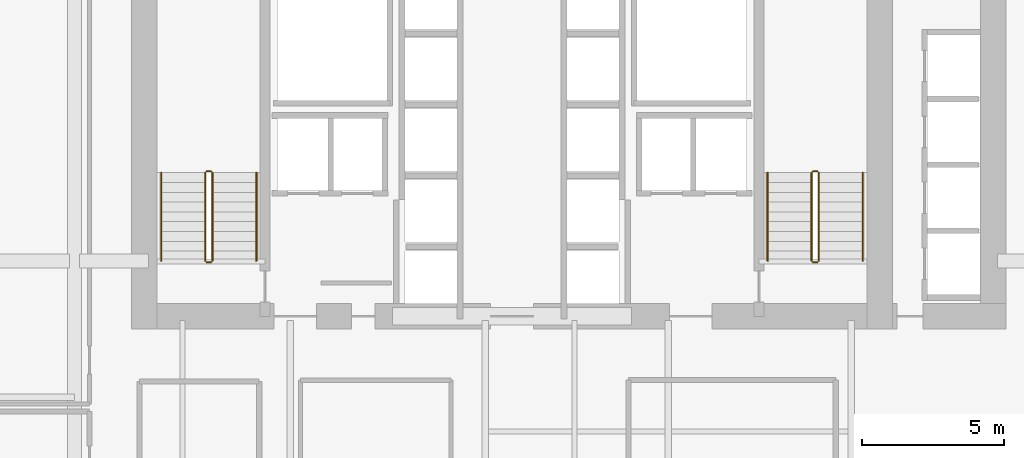
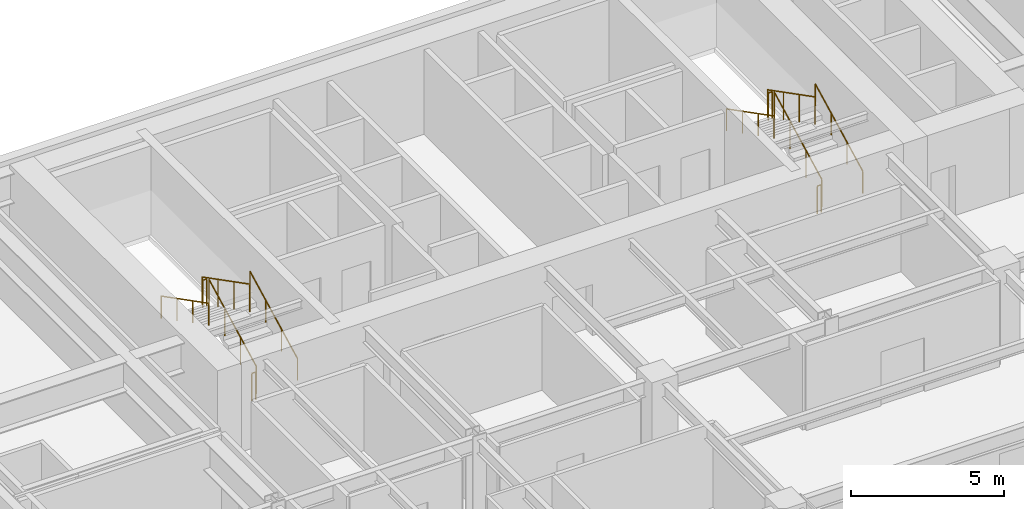
# One storey, part 17 of 17: 12 railings.
"""IFC4 building model written with IfcOpenShell, lengths in metres."""

from ifc_helpers import new_model, si_unit, direction, frame, origin, origin_2d, place, context, subcontext, project, spatial, circle, extrude, material, type_object, element, save


model = new_model("IFC4")

# Units and contexts
model_context = context("Model", 3, precision=1e-05, world=origin(), true_north=direction((0.0, 1.0)))
body_context = subcontext(model_context, "Body", "Model", "MODEL_VIEW")
ifc_project = project(units=[si_unit("LENGTHUNIT", "METRE"), si_unit("AREAUNIT", "SQUARE_METRE"), si_unit("VOLUMEUNIT", "CUBIC_METRE"), si_unit("PLANEANGLEUNIT", "RADIAN"), si_unit("MASSUNIT", "GRAM", prefix="KILO")], contexts=[model_context])

# Site, building, storey
site_placement = place(None, origin())
site = spatial("IfcSite", under=ifc_project, at=site_placement, CompositionType="ELEMENT")
building_placement = place(site_placement, origin())
building = spatial("IfcBuilding", under=site, at=building_placement, Name="Tolvann Quenvar Hotel", CompositionType="ELEMENT")
storey_placement = place(building_placement, frame((0.0, 0.0, 35.550048828125)))
storey = spatial("IfcBuildingStorey", under=building, at=storey_placement, Name="L07", CompositionType="ELEMENT", Elevation=35.550048828125)

# Railings
ifc_material = material(Name="Brushed 316 stainless steel balustrade and handrail", Category="steel")
railing_type_1 = type_object("IfcRailingType", Name="GUARDRAIL", PredefinedType="GUARDRAIL", material=ifc_material)
railing_1_placement = place(storey_placement, frame((12.449951171875, 34.0, 0.177490234375)))
element("IfcRailing", 1, at=railing_1_placement, inside=storey, type_object=railing_type_1, Name="L07 ST-C1 stair guard 1", PredefinedType="GUARDRAIL", context=body_context, shape_type="SweptSolid", body=[
    extrude(circle(Radius=0.02392578125, at=origin_2d()), frame((0.0, 0.0, 1.09619140625), z_axis=(0.0, 0.889221982265, 0.45747597342), x_axis=(-1.0, 0.0, 0.0)), (0.0, 0.0, 1.0), 3.49169921875),
    extrude(circle(Radius=0.02099609375, at=origin_2d()), origin(), (0.0, 0.0, 1.0), 1.072021484375),
    extrude(circle(Radius=0.02099609375, at=origin_2d()), frame((0.0, 1.034912109375, 0.532470703125)), (0.0, 0.0, 1.0), 1.072021484375),
    extrude(circle(Radius=0.02099609375, at=origin_2d()), frame((0.0, 2.070068359375, 1.06494140625)), (0.0, 0.0, 1.0), 1.072021484375),
    extrude(circle(Radius=0.02099609375, at=origin_2d()), frame((0.0, 3.10498046875, 1.597412109375)), (0.0, 0.0, 1.0), 1.072021484375),
])
railing_2_placement = place(storey_placement, frame((12.39990234375, 37.155029296875, 1.77490234375)))
element("IfcRailing", 2, at=railing_2_placement, inside=storey, type_object=railing_type_1, Name="L07 ST-C1 stair guard 2", PredefinedType="GUARDRAIL", context=body_context, shape_type="SweptSolid", body=[
    extrude(circle(Radius=0.02392578125, at=origin_2d()), frame((0.0, 0.0, 1.09619140625), z_axis=(-1.0, 0.0, 0.0), x_axis=(0.0, -1.0, 0.0)), (0.0, 0.0, 1.0), 0.14990234375),
    extrude(circle(Radius=0.02099609375, at=origin_2d()), origin(), (0.0, 0.0, 1.0), 1.072021484375),
    extrude(circle(Radius=0.02099609375, at=origin_2d()), frame((-0.14990234375, 0.0, 0.0)), (0.0, 0.0, 1.0), 1.072021484375),
])
railing_3_placement = place(storey_placement, frame((12.199951171875, 37.10498046875, 1.952392578125)))
element("IfcRailing", 3, at=railing_3_placement, inside=storey, type_object=railing_type_1, Name="L07 ST-C1 stair guard 3", PredefinedType="GUARDRAIL", context=body_context, shape_type="SweptSolid", body=[
    extrude(circle(Radius=0.02392578125, at=origin_2d()), frame((0.0, 0.0, 1.09619140625), z_axis=(0.0, -0.88919353882, 0.457531256332), x_axis=(1.0, 0.0, 0.0)), (0.0, 0.0, 1.0), 3.491943359375),
    extrude(circle(Radius=0.02099609375, at=origin_2d()), origin(), (0.0, 0.0, 1.0), 1.072021484375),
    extrude(circle(Radius=0.02099609375, at=origin_2d()), frame((0.0, -1.034912109375, 0.532470703125)), (0.0, 0.0, 1.0), 1.072021484375),
    extrude(circle(Radius=0.02099609375, at=origin_2d()), frame((0.0, -2.070068359375, 1.065185546875)), (0.0, 0.0, 1.0), 1.072021484375),
    extrude(circle(Radius=0.02099609375, at=origin_2d()), frame((0.0, -3.10498046875, 1.59765625)), (0.0, 0.0, 1.0), 1.072021484375),
])
railing_4_placement = place(storey_placement, frame((12.39990234375, 33.949951171875, 0.0)))
element("IfcRailing", 4, at=railing_4_placement, inside=storey, type_object=railing_type_1, Name="L07 ST-C1 stair guard 4", PredefinedType="GUARDRAIL", context=body_context, shape_type="SweptSolid", body=[
    extrude(circle(Radius=0.02392578125, at=origin_2d()), frame((0.0, 0.0, 1.09619140625), z_axis=(-1.0, 0.0, 0.0), x_axis=(0.0, -1.0, 0.0)), (0.0, 0.0, 1.0), 0.14990234375),
    extrude(circle(Radius=0.02099609375, at=origin_2d()), origin(), (0.0, 0.0, 1.0), 1.072021484375),
    extrude(circle(Radius=0.02099609375, at=origin_2d()), frame((-0.14990234375, 0.0, 0.0)), (0.0, 0.0, 1.0), 1.072021484375),
])
railing_5_placement = place(storey_placement, frame((33.800048828125, 34.0, 0.177490234375)))
element("IfcRailing", 5, at=railing_5_placement, inside=storey, type_object=railing_type_1, Name="L07 ST-C2 stair guard 1", PredefinedType="GUARDRAIL", context=body_context, shape_type="SweptSolid", body=[
    extrude(circle(Radius=0.02392578125, at=origin_2d()), frame((0.0, 0.0, 1.09619140625), z_axis=(0.0, 0.889221982265, 0.45747597342), x_axis=(-1.0, 0.0, 0.0)), (0.0, 0.0, 1.0), 3.49169921875),
    extrude(circle(Radius=0.02099609375, at=origin_2d()), origin(), (0.0, 0.0, 1.0), 1.072021484375),
    extrude(circle(Radius=0.02099609375, at=origin_2d()), frame((0.0, 1.034912109375, 0.532470703125)), (0.0, 0.0, 1.0), 1.072021484375),
    extrude(circle(Radius=0.02099609375, at=origin_2d()), frame((0.0, 2.070068359375, 1.06494140625)), (0.0, 0.0, 1.0), 1.072021484375),
    extrude(circle(Radius=0.02099609375, at=origin_2d()), frame((0.0, 3.10498046875, 1.597412109375)), (0.0, 0.0, 1.0), 1.072021484375),
])
railing_6_placement = place(storey_placement, frame((33.75, 37.155029296875, 1.77490234375)))
element("IfcRailing", 6, at=railing_6_placement, inside=storey, type_object=railing_type_1, Name="L07 ST-C2 stair guard 2", PredefinedType="GUARDRAIL", context=body_context, shape_type="SweptSolid", body=[
    extrude(circle(Radius=0.02392578125, at=origin_2d()), frame((0.0, 0.0, 1.09619140625), z_axis=(-1.0, 0.0, 0.0), x_axis=(0.0, -1.0, 0.0)), (0.0, 0.0, 1.0), 0.14990234375),
    extrude(circle(Radius=0.02099609375, at=origin_2d()), origin(), (0.0, 0.0, 1.0), 1.072021484375),
    extrude(circle(Radius=0.02099609375, at=origin_2d()), frame((-0.14990234375, 0.0, 0.0)), (0.0, 0.0, 1.0), 1.072021484375),
])
railing_7_placement = place(storey_placement, frame((33.550048828125, 37.10498046875, 1.952392578125)))
element("IfcRailing", 7, at=railing_7_placement, inside=storey, type_object=railing_type_1, Name="L07 ST-C2 stair guard 3", PredefinedType="GUARDRAIL", context=body_context, shape_type="SweptSolid", body=[
    extrude(circle(Radius=0.02392578125, at=origin_2d()), frame((0.0, 0.0, 1.09619140625), z_axis=(0.0, -0.88919353882, 0.457531256332), x_axis=(1.0, 0.0, 0.0)), (0.0, 0.0, 1.0), 3.491943359375),
    extrude(circle(Radius=0.02099609375, at=origin_2d()), origin(), (0.0, 0.0, 1.0), 1.072021484375),
    extrude(circle(Radius=0.02099609375, at=origin_2d()), frame((0.0, -1.034912109375, 0.532470703125)), (0.0, 0.0, 1.0), 1.072021484375),
    extrude(circle(Radius=0.02099609375, at=origin_2d()), frame((0.0, -2.070068359375, 1.065185546875)), (0.0, 0.0, 1.0), 1.072021484375),
    extrude(circle(Radius=0.02099609375, at=origin_2d()), frame((0.0, -3.10498046875, 1.59765625)), (0.0, 0.0, 1.0), 1.072021484375),
])
railing_8_placement = place(storey_placement, frame((33.75, 33.949951171875, 0.0)))
element("IfcRailing", 8, at=railing_8_placement, inside=storey, type_object=railing_type_1, Name="L07 ST-C2 stair guard 4", PredefinedType="GUARDRAIL", context=body_context, shape_type="SweptSolid", body=[
    extrude(circle(Radius=0.02392578125, at=origin_2d()), frame((0.0, 0.0, 1.09619140625), z_axis=(-1.0, 0.0, 0.0), x_axis=(0.0, -1.0, 0.0)), (0.0, 0.0, 1.0), 0.14990234375),
    extrude(circle(Radius=0.02099609375, at=origin_2d()), origin(), (0.0, 0.0, 1.0), 1.072021484375),
    extrude(circle(Radius=0.02099609375, at=origin_2d()), frame((-0.14990234375, 0.0, 0.0)), (0.0, 0.0, 1.0), 1.072021484375),
])
railing_type_2 = type_object("IfcRailingType", Name="HANDRAIL", PredefinedType="HANDRAIL", material=ifc_material)
railing_9_placement = place(storey_placement, frame((14.0, 34.0, 0.177490234375)))
element("IfcRailing", 9, at=railing_9_placement, inside=storey, type_object=railing_type_2, Name="L07 ST-C1 stair handrail 1", PredefinedType="HANDRAIL", context=body_context, shape_type="SweptSolid", body=[
    extrude(circle(Radius=0.02392578125, at=origin_2d()), frame((0.0, 0.0, 0.8759765625), z_axis=(0.0, 0.889221982265, 0.45747597342), x_axis=(-1.0, 0.0, 0.0)), (0.0, 0.0, 1.0), 3.49169921875),
    extrude(circle(Radius=0.02099609375, at=origin_2d()), origin(), (0.0, 0.0, 1.0), 0.851806640625),
    extrude(circle(Radius=0.02099609375, at=origin_2d()), frame((0.0, 1.034912109375, 0.532470703125)), (0.0, 0.0, 1.0), 0.851806640625),
    extrude(circle(Radius=0.02099609375, at=origin_2d()), frame((0.0, 2.070068359375, 1.06494140625)), (0.0, 0.0, 1.0), 0.851806640625),
    extrude(circle(Radius=0.02099609375, at=origin_2d()), frame((0.0, 3.10498046875, 1.597412109375)), (0.0, 0.0, 1.0), 0.851806640625),
])
railing_10_placement = place(storey_placement, frame((10.64990234375, 37.10498046875, 1.952392578125)))
element("IfcRailing", 10, at=railing_10_placement, inside=storey, type_object=railing_type_2, Name="L07 ST-C1 stair handrail 2", PredefinedType="HANDRAIL", context=body_context, shape_type="SweptSolid", body=[
    extrude(circle(Radius=0.02392578125, at=origin_2d()), frame((0.0, 0.0, 0.8759765625), z_axis=(0.0, -0.88919353882, 0.457531256332), x_axis=(1.0, 0.0, 0.0)), (0.0, 0.0, 1.0), 3.491943359375),
    extrude(circle(Radius=0.02099609375, at=origin_2d()), origin(), (0.0, 0.0, 1.0), 0.851806640625),
    extrude(circle(Radius=0.02099609375, at=origin_2d()), frame((0.0, -1.034912109375, 0.532470703125)), (0.0, 0.0, 1.0), 0.851806640625),
    extrude(circle(Radius=0.02099609375, at=origin_2d()), frame((0.0, -2.070068359375, 1.065185546875)), (0.0, 0.0, 1.0), 0.851806640625),
    extrude(circle(Radius=0.02099609375, at=origin_2d()), frame((0.0, -3.10498046875, 1.59765625)), (0.0, 0.0, 1.0), 0.851806640625),
])
railing_11_placement = place(storey_placement, frame((35.35009765625, 34.0, 0.177490234375)))
element("IfcRailing", 11, at=railing_11_placement, inside=storey, type_object=railing_type_2, Name="L07 ST-C2 stair handrail 1", PredefinedType="HANDRAIL", context=body_context, shape_type="SweptSolid", body=[
    extrude(circle(Radius=0.02392578125, at=origin_2d()), frame((0.0, 0.0, 0.8759765625), z_axis=(0.0, 0.889221982265, 0.45747597342), x_axis=(-1.0, 0.0, 0.0)), (0.0, 0.0, 1.0), 3.49169921875),
    extrude(circle(Radius=0.02099609375, at=origin_2d()), origin(), (0.0, 0.0, 1.0), 0.851806640625),
    extrude(circle(Radius=0.02099609375, at=origin_2d()), frame((0.0, 1.034912109375, 0.532470703125)), (0.0, 0.0, 1.0), 0.851806640625),
    extrude(circle(Radius=0.02099609375, at=origin_2d()), frame((0.0, 2.070068359375, 1.06494140625)), (0.0, 0.0, 1.0), 0.851806640625),
    extrude(circle(Radius=0.02099609375, at=origin_2d()), frame((0.0, 3.10498046875, 1.597412109375)), (0.0, 0.0, 1.0), 0.851806640625),
])
railing_12_placement = place(storey_placement, frame((32.0, 37.10498046875, 1.952392578125)))
element("IfcRailing", 12, at=railing_12_placement, inside=storey, type_object=railing_type_2, Name="L07 ST-C2 stair handrail 2", PredefinedType="HANDRAIL", context=body_context, shape_type="SweptSolid", body=[
    extrude(circle(Radius=0.02392578125, at=origin_2d()), frame((0.0, 0.0, 0.8759765625), z_axis=(0.0, -0.88919353882, 0.457531256332), x_axis=(1.0, 0.0, 0.0)), (0.0, 0.0, 1.0), 3.491943359375),
    extrude(circle(Radius=0.02099609375, at=origin_2d()), origin(), (0.0, 0.0, 1.0), 0.851806640625),
    extrude(circle(Radius=0.02099609375, at=origin_2d()), frame((0.0, -1.034912109375, 0.532470703125)), (0.0, 0.0, 1.0), 0.851806640625),
    extrude(circle(Radius=0.02099609375, at=origin_2d()), frame((0.0, -2.070068359375, 1.065185546875)), (0.0, 0.0, 1.0), 0.851806640625),
    extrude(circle(Radius=0.02099609375, at=origin_2d()), frame((0.0, -3.10498046875, 1.59765625)), (0.0, 0.0, 1.0), 0.851806640625),
])

save(model, "model.ifc")
